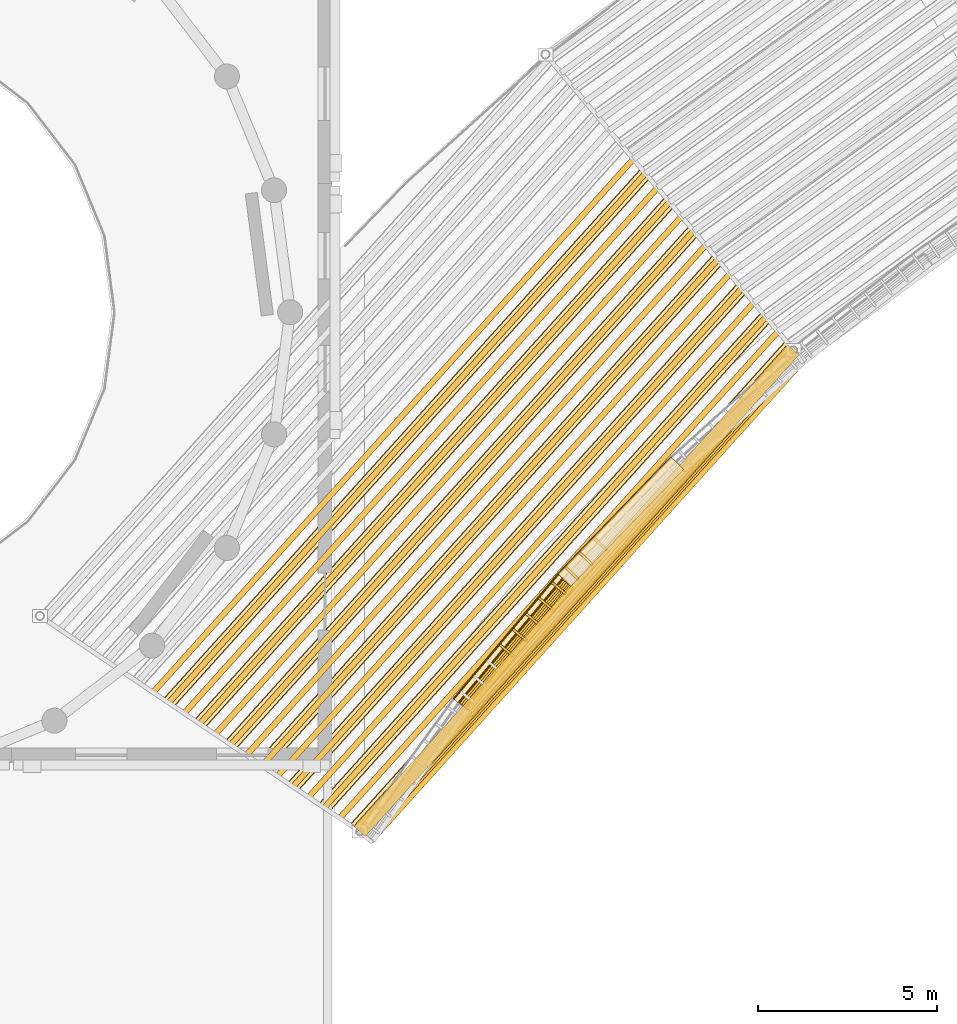
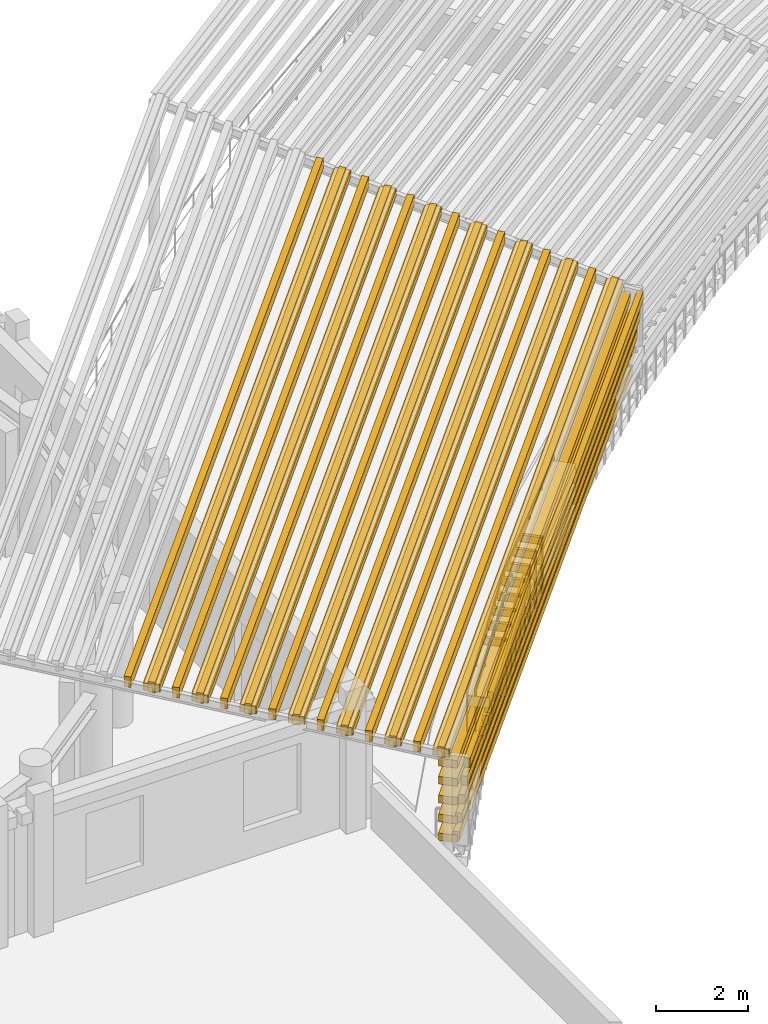
# One storey, part 63 of 74: 44 shading devices, 15 coverings, 3 railings.
"""IFC4 building model written with IfcOpenShell, lengths in metres."""

from ifc_helpers import new_model, si_unit, direction, frame, frame_2d, origin, origin_2d, place, context, subcontext, project, spatial, rectangle, circle, extrude, material, layer, layer_set, type_object, element, save


model = new_model("IFC4")

# Units and contexts
model_context = context("Model", 3, precision=1e-05, world=origin(), true_north=direction((0.0, 1.0)))
body_context = subcontext(model_context, "Body", "Model", "MODEL_VIEW")
ifc_project = project(units=[si_unit("LENGTHUNIT", "METRE"), si_unit("AREAUNIT", "SQUARE_METRE"), si_unit("VOLUMEUNIT", "CUBIC_METRE"), si_unit("PLANEANGLEUNIT", "RADIAN"), si_unit("MASSUNIT", "GRAM", prefix="KILO")], contexts=[model_context])

# Site, building, storey
site_placement = place(None, origin())
site = spatial("IfcSite", under=ifc_project, at=site_placement, CompositionType="ELEMENT")
building_placement = place(site_placement, origin())
building = spatial("IfcBuilding", under=site, at=building_placement, Name="Clarverna Civic Hall", CompositionType="ELEMENT")
storey_placement = place(building_placement, frame((0.0, 0.0, 13.199951171875)))
storey = spatial("IfcBuildingStorey", under=building, at=storey_placement, Name="L03", CompositionType="ELEMENT", Elevation=13.199951171875)

# Coverings
ifc_material_1 = material(Name="Thermally Modified Teak Wood Slat Fascia Cladding", Category="wood")
ifc_layer_1 = layer(ifc_material_1, 0.080078125)
ifc_layer_set_1 = layer_set([ifc_layer_1], Name="Thermally Modified Teak Wood Slat Fascia Cladding")
covering_type = type_object("IfcCoveringType", Name="CV-CL1", PredefinedType="CLADDING", material=ifc_layer_set_1)
for number, where, z_axis, x_axis, name in (
    (1, (106.837890625, 54.77587890625, -0.3798828125), (0.0, 0.0, 1.0), (-0.694660569489, -0.719337676753, 0.0), "CV-CL1-168"),
    (2, (106.837890625, 54.77587890625, 0.16015625), (0.0, 0.0, 1.0), (-0.694660569489, -0.719337676753, 0.0), "CV-CL1-169"),
):
    element("IfcCovering", number, at=place(storey_placement, frame(where, z_axis=z_axis, x_axis=x_axis)), inside=storey, type_object=covering_type, Name=name, PredefinedType="CLADDING", context=body_context, shape_type="SweptSolid", body=[
        extrude(rectangle(XDim=4.551025390625, YDim=0.5, at=frame_2d((2.275390625, 0.0))), origin(), (0.0, 0.0, 1.0), 0.260009765625),
    ])
covering_1_placement = place(storey_placement, frame((106.837890625, 54.77587890625, 0.679931640625), z_axis=(0.0, 0.0, 1.0), x_axis=(-0.694660569489, -0.719337676753, 0.0)))
element("IfcCovering", 3, at=covering_1_placement, inside=storey, type_object=covering_type, Name="CV-CL1-170", PredefinedType="CLADDING", context=body_context, shape_type="SweptSolid", body=[
    extrude(rectangle(XDim=4.551025390625, YDim=0.5, at=frame_2d((2.275390625, 0.0))), origin(), (0.0, 0.0, 1.0), 0.280029296875),
])
for number, where, z_axis, x_axis, name in (
    (4, (104.111083984375, 52.268798828125, -0.35986328125), (0.0, 0.0, 1.0), (0.719451954483, -0.694542212678, 0.0), "CV-CL1-173"),
    (5, (103.7158203125, 51.859619140625, -0.35986328125), (0.0, 0.0, 1.0), (0.719451954483, -0.694542212678, 0.0), "CV-CL1-174"),
):
    element("IfcCovering", number, at=place(storey_placement, frame(where, z_axis=z_axis, x_axis=x_axis)), inside=storey, type_object=covering_type, Name=name, PredefinedType="CLADDING", context=body_context, shape_type="SweptSolid", body=[
        extrude(rectangle(XDim=0.499755859375, YDim=0.070068359375, at=frame_2d((0.25, 0.0))), origin(), (0.0, 0.0, 1.0), 1.52001953125),
    ])
covering_2_placement = place(storey_placement, frame((103.684814453125, 51.51171875, 0.679931640625), z_axis=(0.0, 0.0, 1.0), x_axis=(-0.642776820279, -0.766053496377, 0.0)))
element("IfcCovering", 6, at=covering_2_placement, inside=storey, type_object=covering_type, Name="CV-CL1-177", PredefinedType="CLADDING", context=body_context, shape_type="SweptSolid", body=[
    extrude(rectangle(XDim=4.551025390625, YDim=0.5, at=frame_2d((2.275390625, 0.0))), origin(), (0.0, 0.0, 1.0), 0.280029296875),
])
covering_3_placement = place(storey_placement, frame((103.33349609375, 51.43505859375, -0.35986328125), z_axis=(0.0, 0.0, 1.0), x_axis=(0.766176031171, -0.642630756546, 0.0)))
element("IfcCovering", 7, at=covering_3_placement, inside=storey, type_object=covering_type, Name="CV-CL1-178", PredefinedType="CLADDING", context=body_context, shape_type="SweptSolid", body=[
    extrude(rectangle(XDim=0.5, YDim=0.070068359375, at=frame_2d((0.25, 0.0))), origin(), (0.0, 0.0, 1.0), 1.52001953125),
])
covering_4_placement = place(storey_placement, frame((102.236572265625, 50.127685546875, -0.35986328125), z_axis=(0.0, 0.0, 1.0), x_axis=(0.76597425383, -0.64287124875, 0.0)))
element("IfcCovering", 8, at=covering_4_placement, inside=storey, type_object=covering_type, Name="CV-CL1-179", PredefinedType="CLADDING", context=body_context, shape_type="SweptSolid", body=[
    extrude(rectangle(XDim=0.499755859375, YDim=0.070068359375, at=frame_2d((0.25, 0.0))), origin(), (0.0, 0.0, 1.0), 1.52001953125),
])
covering_5_placement = place(storey_placement, frame((109.993896484375, 58.06103515625, 2.510009765625), z_axis=(0.0, 0.0, 1.0), x_axis=(-0.669127111219, -0.743147972501, 0.0)))
element("IfcCovering", 9, at=covering_5_placement, inside=storey, type_object=covering_type, Name="CV-CL1-203", PredefinedType="CLADDING", context=body_context, shape_type="SweptSolid", body=[
    extrude(rectangle(XDim=18.18994140625, YDim=0.340087890625, at=frame_2d((9.094970703125, 0.0))), origin(), (0.0, 0.0, 1.0), 0.219970703125),
])
covering_6_placement = place(storey_placement, frame((109.31884765625, 58.865478515625, 2.7451171875), z_axis=(0.0, 0.0, 1.0), x_axis=(-0.669124543169, -0.743150284753, 0.0)))
element("IfcCovering", 10, at=covering_6_placement, inside=storey, type_object=covering_type, Name="CV-CL1-208", PredefinedType="CLADDING", context=body_context, shape_type="SweptSolid", body=[
    extrude(rectangle(XDim=18.482177734375, YDim=0.340087890625, at=frame_2d((9.2412109375, 0.0))), origin(), (0.0, 0.0, 1.0), 0.219970703125),
])
covering_7_placement = place(storey_placement, frame((108.64404296875, 59.669677734375, 2.97998046875), z_axis=(0.0, 0.0, 1.0), x_axis=(-0.669135702902, -0.743140236498, 0.0)))
element("IfcCovering", 11, at=covering_7_placement, inside=storey, type_object=covering_type, Name="CV-CL1-213", PredefinedType="CLADDING", context=body_context, shape_type="SweptSolid", body=[
    extrude(rectangle(XDim=18.774658203125, YDim=0.340087890625, at=frame_2d((9.38720703125, 0.0))), origin(), (0.0, 0.0, 1.0), 0.219970703125),
])
covering_8_placement = place(storey_placement, frame((107.968994140625, 60.47412109375, 3.215087890625), z_axis=(0.0, 0.0, 1.0), x_axis=(-0.669126010428, -0.743148963646, 0.0)))
element("IfcCovering", 12, at=covering_8_placement, inside=storey, type_object=covering_type, Name="CV-CL1-218", PredefinedType="CLADDING", context=body_context, shape_type="SweptSolid", body=[
    extrude(rectangle(XDim=19.066650390625, YDim=0.340087890625, at=frame_2d((9.533203125, 0.0))), origin(), (0.0, 0.0, 1.0), 0.219970703125),
])
covering_9_placement = place(storey_placement, frame((107.294189453125, 61.2783203125, 3.449951171875), z_axis=(0.0, 0.0, 1.0), x_axis=(-0.669136811064, -0.743139238689, 0.0)))
element("IfcCovering", 13, at=covering_9_placement, inside=storey, type_object=covering_type, Name="CV-CL1-223", PredefinedType="CLADDING", context=body_context, shape_type="SweptSolid", body=[
    extrude(rectangle(XDim=19.359130859375, YDim=0.340087890625, at=frame_2d((9.6796875, 0.0))), origin(), (0.0, 0.0, 1.0), 0.22021484375),
])
covering_10_placement = place(storey_placement, frame((106.619140625, 62.082763671875, 3.68505859375), z_axis=(0.0, 0.0, 1.0), x_axis=(-0.669127390406, -0.743147721122, 0.0)))
element("IfcCovering", 14, at=covering_10_placement, inside=storey, type_object=covering_type, Name="CV-CL1-228", PredefinedType="CLADDING", context=body_context, shape_type="SweptSolid", body=[
    extrude(rectangle(XDim=19.651123046875, YDim=0.340087890625, at=frame_2d((9.82568359375, 0.0))), origin(), (0.0, 0.0, 1.0), 0.219970703125),
])
covering_11_placement = place(storey_placement, frame((105.9443359375, 62.88720703125, 3.920166015625), z_axis=(0.0, 0.0, 1.0), x_axis=(-0.669125006428, -0.74314986764, 0.0)))
element("IfcCovering", 15, at=covering_11_placement, inside=storey, type_object=covering_type, Name="CV-CL1-233", PredefinedType="CLADDING", context=body_context, shape_type="SweptSolid", body=[
    extrude(rectangle(XDim=19.943603515625, YDim=0.340087890625, at=frame_2d((9.9716796875, 0.0))), origin(), (0.0, 0.0, 1.0), 0.219970703125),
])

# Railings
ifc_material_2 = material(Name="Anodised Bronze Architectural Balustrade")
railing_type_1 = type_object("IfcRailingType", Name="GR-01", PredefinedType="BALUSTRADE", material=ifc_material_2)
railing_1_placement = place(storey_placement, frame((103.5009765625, 51.666015625, 0.0)))
element("IfcRailing", 16, at=railing_1_placement, inside=storey, type_object=railing_type_1, Name="GR-01-022", PredefinedType="BALUSTRADE", context=body_context, shape_type="SweptSolid", body=[
    extrude(circle(Radius=0.02392578125, at=origin_2d()), frame((0.0, 0.0, 1.09619140625), z_axis=(-0.642776820279, -0.766053496377, 0.0), x_axis=(0.766053496377, -0.642776820279, 0.0)), (0.0, 0.0, 1.0), 4.551025390625),
    extrude(circle(Radius=0.011962890625, at=origin_2d()), frame((0.0, 0.0, 0.39208984375), z_axis=(-0.642776820279, -0.766053496377, 0.0), x_axis=(0.766053496377, -0.642776820279, 0.0)), (0.0, 0.0, 1.0), 4.551025390625),
    extrude(circle(Radius=0.011962890625, at=origin_2d()), frame((0.0, 0.0, 0.76171875), z_axis=(-0.642776820279, -0.766053496377, 0.0), x_axis=(0.766053496377, -0.642776820279, 0.0)), (0.0, 0.0, 1.0), 4.551025390625),
    extrude(circle(Radius=0.02099609375, at=origin_2d()), origin(), (0.0, 0.0, 1.0), 1.072021484375),
    extrude(circle(Radius=0.02099609375, at=origin_2d()), frame((-0.7314453125, -0.87158203125, 0.0)), (0.0, 0.0, 1.0), 1.072021484375),
    extrude(circle(Radius=0.02099609375, at=origin_2d()), frame((-1.462646484375, -1.7431640625, 0.0)), (0.0, 0.0, 1.0), 1.072021484375),
    extrude(circle(Radius=0.02099609375, at=origin_2d()), frame((-2.19384765625, -2.61474609375, 0.0)), (0.0, 0.0, 1.0), 1.072021484375),
    extrude(circle(Radius=0.02099609375, at=origin_2d()), frame((-2.92529296875, -3.486328125, 0.0)), (0.0, 0.0, 1.0), 1.072021484375),
])
railing_2_placement = place(storey_placement, frame((106.6650390625, 54.942626953125, 0.0)))
element("IfcRailing", 17, at=railing_2_placement, inside=storey, type_object=railing_type_1, Name="GR-01-032", PredefinedType="BALUSTRADE", context=body_context, shape_type="SweptSolid", body=[
    extrude(circle(Radius=0.02392578125, at=origin_2d()), frame((0.0, 0.0, 1.09619140625), z_axis=(-0.694632809051, -0.719364483825, 0.0), x_axis=(0.719364483825, -0.694632809051, 0.0)), (0.0, 0.0, 1.0), 4.55078125),
    extrude(circle(Radius=0.011962890625, at=origin_2d()), frame((0.0, 0.0, 0.39208984375), z_axis=(-0.694632809051, -0.719364483825, 0.0), x_axis=(0.719364483825, -0.694632809051, 0.0)), (0.0, 0.0, 1.0), 4.55078125),
    extrude(circle(Radius=0.011962890625, at=origin_2d()), frame((0.0, 0.0, 0.76171875), z_axis=(-0.694632809051, -0.719364483825, 0.0), x_axis=(0.719364483825, -0.694632809051, 0.0)), (0.0, 0.0, 1.0), 4.55078125),
    extrude(circle(Radius=0.02099609375, at=origin_2d()), origin(), (0.0, 0.0, 1.0), 1.072021484375),
    extrude(circle(Radius=0.02099609375, at=origin_2d()), frame((-0.790283203125, -0.818359375, 0.0)), (0.0, 0.0, 1.0), 1.072021484375),
    extrude(circle(Radius=0.02099609375, at=origin_2d()), frame((-1.58056640625, -1.63671875, 0.0)), (0.0, 0.0, 1.0), 1.072021484375),
    extrude(circle(Radius=0.02099609375, at=origin_2d()), frame((-2.370849609375, -2.455322265625, 0.0)), (0.0, 0.0, 1.0), 1.072021484375),
    extrude(circle(Radius=0.02099609375, at=origin_2d()), frame((-3.1611328125, -3.273681640625, 0.0)), (0.0, 0.0, 1.0), 1.072021484375),
])
ifc_material_3 = material(Name="Thermally Modified Teak Wood Slat Fascia Rail", Category="wood")
railing_type_2 = type_object("IfcRailingType", Name="GR-03", PredefinedType="BALUSTRADE", material=ifc_material_3)
railing_3_placement = place(storey_placement, frame((103.61962890625, 51.527099609375, 0.0)))
element("IfcRailing", 18, at=railing_3_placement, inside=storey, type_object=railing_type_2, Name="GR-03-016", PredefinedType="BALUSTRADE", context=body_context, shape_type="SweptSolid", body=[
    extrude(circle(Radius=0.02392578125, at=origin_2d()), frame((0.0, 0.0, 1.09619140625), z_axis=(-0.642795492515, -0.766037828571, 0.0), x_axis=(0.766037828571, -0.642795492515, 0.0)), (0.0, 0.0, 1.0), 4.490966796875),
    extrude(circle(Radius=0.011962890625, at=origin_2d()), frame((0.0, 0.0, 0.39208984375), z_axis=(-0.642795492515, -0.766037828571, 0.0), x_axis=(0.766037828571, -0.642795492515, 0.0)), (0.0, 0.0, 1.0), 4.490966796875),
    extrude(circle(Radius=0.011962890625, at=origin_2d()), frame((0.0, 0.0, 0.76171875), z_axis=(-0.642795492515, -0.766037828571, 0.0), x_axis=(0.766037828571, -0.642795492515, 0.0)), (0.0, 0.0, 1.0), 4.490966796875),
    extrude(circle(Radius=0.02099609375, at=origin_2d()), origin(), (0.0, 0.0, 1.0), 1.072021484375),
    extrude(circle(Radius=0.02099609375, at=origin_2d()), frame((-0.7216796875, -0.860107421875, 0.0)), (0.0, 0.0, 1.0), 1.072021484375),
    extrude(circle(Radius=0.02099609375, at=origin_2d()), frame((-1.443359375, -1.72021484375, 0.0)), (0.0, 0.0, 1.0), 1.072021484375),
    extrude(circle(Radius=0.02099609375, at=origin_2d()), frame((-2.1650390625, -2.580078125, 0.0)), (0.0, 0.0, 1.0), 1.072021484375),
    extrude(circle(Radius=0.02099609375, at=origin_2d()), frame((-2.88671875, -3.440185546875, 0.0)), (0.0, 0.0, 1.0), 1.072021484375),
])

# Shading devices
ifc_material_4 = material(Name="Thermally Modified Teak Wood Slats", Category="wood")
ifc_layer_2 = layer(ifc_material_4, 0.06494140625)
ifc_layer_set_2 = layer_set([ifc_layer_2], Name="Thermally Modified Teak Wood Slats")
shading_device_type = type_object("IfcShadingDeviceType", Name="SD-WD1", PredefinedType="JALOUSIE", material=ifc_layer_set_2)
for number, where, z_axis, x_axis, name in (
    (19, (104.506103515625, 52.677978515625, -0.35986328125), (0.0, 0.0, 1.0), (0.719451954483, -0.694542212678, 0.0), "SD-WD1-224"),
    (20, (104.111083984375, 52.268798828125, -0.35986328125), (0.0, 0.0, 1.0), (0.719451954483, -0.694542212678, 0.0), "SD-WD1-225"),
    (21, (103.7158203125, 51.859619140625, -0.35986328125), (0.0, 0.0, 1.0), (0.719451954483, -0.694542212678, 0.0), "SD-WD1-226"),
):
    element("IfcShadingDevice", number, at=place(storey_placement, frame(where, z_axis=z_axis, x_axis=x_axis)), inside=storey, type_object=shading_device_type, Name=name, PredefinedType="JALOUSIE", context=body_context, shape_type="SweptSolid", body=[
        extrude(rectangle(XDim=0.499755859375, YDim=0.06494140625, at=frame_2d((0.25, 0.0))), origin(), (0.0, 0.0, 1.0), 1.5),
    ])
for number, where, z_axis, x_axis, name in (
    (22, (103.6962890625, 51.462890625, -0.35986328125), (0.0, 0.0, 1.0), (-0.642795492515, -0.766037828571, 0.0), "SD-WD1-227"),
    (23, (103.7421875, 51.42431640625, -0.079833984375), (0.0, 0.0, 1.0), (-0.642795492515, -0.766037828571, 0.0), "SD-WD1-228"),
    (24, (103.7880859375, 51.3857421875, 0.219970703125), (0.0, 0.0, 1.0), (-0.642795492515, -0.766037828571, 0.0), "SD-WD1-229"),
):
    element("IfcShadingDevice", number, at=place(storey_placement, frame(where, z_axis=z_axis, x_axis=x_axis)), inside=storey, type_object=shading_device_type, Name=name, PredefinedType="JALOUSIE", context=body_context, shape_type="SweptSolid", body=[
        extrude(rectangle(XDim=4.490966796875, YDim=0.139892578125, at=frame_2d((2.24560546875, 0.0))), origin(), (0.0, 0.0, 1.0), 0.239990234375),
    ])
shading_device_1_placement = place(storey_placement, frame((103.833984375, 51.34716796875, 0.5400390625), z_axis=(0.0, 0.0, 1.0), x_axis=(-0.642763589509, -0.766064597799, 0.0)))
element("IfcShadingDevice", 25, at=shading_device_1_placement, inside=storey, type_object=shading_device_type, Name="SD-WD1-230", PredefinedType="JALOUSIE", context=body_context, shape_type="SweptSolid", body=[
    extrude(rectangle(XDim=4.49072265625, YDim=0.139892578125, at=frame_2d((2.245361328125, 0.0))), origin(), (0.0, 0.0, 1.0), 0.239990234375),
])
shading_device_2_placement = place(storey_placement, frame((103.872314453125, 51.315185546875, 0.860107421875), z_axis=(0.0, 0.0, 1.0), x_axis=(-0.642768724281, -0.766060289459, 0.0)))
element("IfcShadingDevice", 26, at=shading_device_2_placement, inside=storey, type_object=shading_device_type, Name="SD-WD1-231", PredefinedType="JALOUSIE", context=body_context, shape_type="SweptSolid", body=[
    extrude(rectangle(XDim=4.490966796875, YDim=0.139892578125, at=frame_2d((2.24560546875, 0.0))), origin(), (0.0, 0.0, 1.0), 0.239990234375),
])
shading_device_3_placement = place(storey_placement, frame((103.33349609375, 51.43505859375, -0.35986328125), z_axis=(0.0, 0.0, 1.0), x_axis=(0.766176031171, -0.642630756546, 0.0)))
element("IfcShadingDevice", 27, at=shading_device_3_placement, inside=storey, type_object=shading_device_type, Name="SD-WD1-232", PredefinedType="JALOUSIE", context=body_context, shape_type="SweptSolid", body=[
    extrude(rectangle(XDim=0.5, YDim=0.06494140625, at=frame_2d((0.25, 0.0))), origin(), (0.0, 0.0, 1.0), 1.5),
])
shading_device_4_placement = place(storey_placement, frame((102.968017578125, 50.999267578125, -0.35986328125), z_axis=(0.0, 0.0, 1.0), x_axis=(0.76597425383, -0.64287124875, 0.0)))
element("IfcShadingDevice", 28, at=shading_device_4_placement, inside=storey, type_object=shading_device_type, Name="SD-WD1-233", PredefinedType="JALOUSIE", context=body_context, shape_type="SweptSolid", body=[
    extrude(rectangle(XDim=0.499755859375, YDim=0.06494140625, at=frame_2d((0.25, 0.0))), origin(), (0.0, 0.0, 1.0), 1.5),
])
shading_device_5_placement = place(storey_placement, frame((102.602294921875, 50.563720703125, -0.35986328125), z_axis=(0.0, 0.0, 1.0), x_axis=(0.765733725264, -0.643157727151, 0.0)))
element("IfcShadingDevice", 29, at=shading_device_5_placement, inside=storey, type_object=shading_device_type, Name="SD-WD1-234", PredefinedType="JALOUSIE", context=body_context, shape_type="SweptSolid", body=[
    extrude(rectangle(XDim=0.5, YDim=0.06494140625, at=frame_2d((0.25, 0.0))), origin(), (0.0, 0.0, 1.0), 1.5),
])
shading_device_6_placement = place(storey_placement, frame((102.236572265625, 50.127685546875, -0.35986328125), z_axis=(0.0, 0.0, 1.0), x_axis=(0.76597425383, -0.64287124875, 0.0)))
element("IfcShadingDevice", 30, at=shading_device_6_placement, inside=storey, type_object=shading_device_type, Name="SD-WD1-235", PredefinedType="JALOUSIE", context=body_context, shape_type="SweptSolid", body=[
    extrude(rectangle(XDim=0.499755859375, YDim=0.06494140625, at=frame_2d((0.25, 0.0))), origin(), (0.0, 0.0, 1.0), 1.5),
])
shading_device_7_placement = place(storey_placement, frame((101.870849609375, 49.69189453125, -0.35986328125), z_axis=(0.0, 0.0, 1.0), x_axis=(0.766176031171, -0.642630756546, 0.0)))
element("IfcShadingDevice", 31, at=shading_device_7_placement, inside=storey, type_object=shading_device_type, Name="SD-WD1-236", PredefinedType="JALOUSIE", context=body_context, shape_type="SweptSolid", body=[
    extrude(rectangle(XDim=0.5, YDim=0.06494140625, at=frame_2d((0.25, 0.0))), origin(), (0.0, 0.0, 1.0), 1.5),
])
shading_device_8_placement = place(storey_placement, frame((110.210693359375, 57.810791015625, 0.300048828125), z_axis=(0.0, 0.0, 1.0), x_axis=(-0.669128589124, -0.743146641799, 0.0)))
element("IfcShadingDevice", 32, at=shading_device_8_placement, inside=storey, type_object=shading_device_type, Name="SD-WD1-293", PredefinedType="JALOUSIE", context=body_context, shape_type="SweptSolid", body=[
    extrude(rectangle(XDim=18.108154296875, YDim=0.139892578125, at=frame_2d((9.05419921875, 0.0))), origin(), (0.0, 0.0, 1.0), 0.239990234375),
])
shading_device_9_placement = place(storey_placement, frame((110.090087890625, 57.946044921875, 0.260009765625), z_axis=(0.0, 0.0, 1.0), x_axis=(-0.669128973271, -0.743146295913, 0.0)))
element("IfcShadingDevice", 33, at=shading_device_9_placement, inside=storey, type_object=shading_device_type, Name="SD-WD1-294", PredefinedType="JALOUSIE", context=body_context, shape_type="SweptSolid", body=[
    extrude(rectangle(XDim=18.14794921875, YDim=0.419921875, at=frame_2d((9.073974609375, 0.0))), origin(), (0.0, 0.0, 1.0), 0.199951171875),
])
shading_device_10_placement = place(storey_placement, frame((110.255126953125, 57.7705078125, 0.800048828125), z_axis=(0.0, 0.0, 1.0), x_axis=(-0.669135293401, -0.743140605219, 0.0)))
element("IfcShadingDevice", 34, at=shading_device_10_placement, inside=storey, type_object=shading_device_type, Name="SD-WD1-295", PredefinedType="JALOUSIE", context=body_context, shape_type="SweptSolid", body=[
    extrude(rectangle(XDim=18.10791015625, YDim=0.139892578125, at=frame_2d((9.053955078125, 0.0))), origin(), (0.0, 0.0, 1.0), 0.239990234375),
])
shading_device_11_placement = place(storey_placement, frame((110.090087890625, 57.946044921875, 0.760009765625), z_axis=(0.0, 0.0, 1.0), x_axis=(-0.669128973271, -0.743146295913, 0.0)))
element("IfcShadingDevice", 35, at=shading_device_11_placement, inside=storey, type_object=shading_device_type, Name="SD-WD1-296", PredefinedType="JALOUSIE", context=body_context, shape_type="SweptSolid", body=[
    extrude(rectangle(XDim=18.14794921875, YDim=0.419921875, at=frame_2d((9.073974609375, 0.0))), origin(), (0.0, 0.0, 1.0), 0.199951171875),
])
shading_device_12_placement = place(storey_placement, frame((110.2998046875, 57.73046875, 1.300048828125), z_axis=(0.0, 0.0, 1.0), x_axis=(-0.669128589124, -0.743146641799, 0.0)))
element("IfcShadingDevice", 36, at=shading_device_12_placement, inside=storey, type_object=shading_device_type, Name="SD-WD1-297", PredefinedType="JALOUSIE", context=body_context, shape_type="SweptSolid", body=[
    extrude(rectangle(XDim=18.108154296875, YDim=0.139892578125, at=frame_2d((9.05419921875, 0.0))), origin(), (0.0, 0.0, 1.0), 0.239990234375),
])
shading_device_13_placement = place(storey_placement, frame((110.090087890625, 57.946044921875, 1.260009765625), z_axis=(0.0, 0.0, 1.0), x_axis=(-0.669128973271, -0.743146295913, 0.0)))
element("IfcShadingDevice", 37, at=shading_device_13_placement, inside=storey, type_object=shading_device_type, Name="SD-WD1-298", PredefinedType="JALOUSIE", context=body_context, shape_type="SweptSolid", body=[
    extrude(rectangle(XDim=18.14794921875, YDim=0.419921875, at=frame_2d((9.073974609375, 0.0))), origin(), (0.0, 0.0, 1.0), 0.199951171875),
])
shading_device_14_placement = place(storey_placement, frame((110.34423828125, 57.6904296875, 1.800048828125), z_axis=(0.0, 0.0, 1.0), x_axis=(-0.669121143172, -0.74315334606, 0.0)))
element("IfcShadingDevice", 38, at=shading_device_14_placement, inside=storey, type_object=shading_device_type, Name="SD-WD1-299", PredefinedType="JALOUSIE", context=body_context, shape_type="SweptSolid", body=[
    extrude(rectangle(XDim=18.10791015625, YDim=0.139892578125, at=frame_2d((9.053955078125, 0.0))), origin(), (0.0, 0.0, 1.0), 0.239990234375),
])
shading_device_15_placement = place(storey_placement, frame((110.090087890625, 57.946044921875, 1.760009765625), z_axis=(0.0, 0.0, 1.0), x_axis=(-0.669128973271, -0.743146295913, 0.0)))
element("IfcShadingDevice", 39, at=shading_device_15_placement, inside=storey, type_object=shading_device_type, Name="SD-WD1-300", PredefinedType="JALOUSIE", context=body_context, shape_type="SweptSolid", body=[
    extrude(rectangle(XDim=18.14794921875, YDim=0.419921875, at=frame_2d((9.073974609375, 0.0))), origin(), (0.0, 0.0, 1.0), 0.199951171875),
])
shading_device_16_placement = place(storey_placement, frame((110.388916015625, 57.650146484375, 2.280029296875), z_axis=(0.0, 0.0, 1.0), x_axis=(-0.669128589124, -0.743146641799, 0.0)))
element("IfcShadingDevice", 40, at=shading_device_16_placement, inside=storey, type_object=shading_device_type, Name="SD-WD1-301", PredefinedType="JALOUSIE", context=body_context, shape_type="SweptSolid", body=[
    extrude(rectangle(XDim=18.108154296875, YDim=0.139892578125, at=frame_2d((9.05419921875, 0.0))), origin(), (0.0, 0.0, 1.0), 0.239990234375),
])
shading_device_17_placement = place(storey_placement, frame((110.090087890625, 57.946044921875, 2.239990234375), z_axis=(0.0, 0.0, 1.0), x_axis=(-0.669128973271, -0.743146295913, 0.0)))
element("IfcShadingDevice", 41, at=shading_device_17_placement, inside=storey, type_object=shading_device_type, Name="SD-WD1-302", PredefinedType="JALOUSIE", context=body_context, shape_type="SweptSolid", body=[
    extrude(rectangle(XDim=18.14794921875, YDim=0.419921875, at=frame_2d((9.073974609375, 0.0))), origin(), (0.0, 0.0, 1.0), 0.199951171875),
])
shading_device_18_placement = place(storey_placement, frame((109.993896484375, 58.06103515625, 2.489990234375), z_axis=(0.0, 0.0, 1.0), x_axis=(-0.669127111219, -0.743147972501, 0.0)))
element("IfcShadingDevice", 42, at=shading_device_18_placement, inside=storey, type_object=shading_device_type, Name="SD-WD1-311", PredefinedType="JALOUSIE", context=body_context, shape_type="SweptSolid", body=[
    extrude(rectangle(XDim=18.18994140625, YDim=0.159912109375, at=frame_2d((9.094970703125, 0.0))), origin(), (0.0, 0.0, 1.0), 0.280029296875),
])
shading_device_19_placement = place(storey_placement, frame((109.993896484375, 58.06103515625, 2.530029296875), z_axis=(0.0, 0.0, 1.0), x_axis=(-0.669127111219, -0.743147972501, 0.0)))
element("IfcShadingDevice", 43, at=shading_device_19_placement, inside=storey, type_object=shading_device_type, Name="SD-WD1-312", PredefinedType="JALOUSIE", context=body_context, shape_type="SweptSolid", body=[
    extrude(rectangle(XDim=18.18994140625, YDim=0.3798828125, at=frame_2d((9.094970703125, 0.0))), origin(), (0.0, 0.0, 1.0), 0.179931640625),
])
shading_device_20_placement = place(storey_placement, frame((109.656494140625, 58.463134765625, 2.607666015625), z_axis=(0.0, 0.0, 1.0), x_axis=(-0.669136114516, -0.743139865874, 0.0)))
element("IfcShadingDevice", 44, at=shading_device_20_placement, inside=storey, type_object=shading_device_type, Name="SD-WD1-317", PredefinedType="JALOUSIE", context=body_context, shape_type="SweptSolid", body=[
    extrude(rectangle(XDim=18.3359375, YDim=0.159912109375, at=frame_2d((9.16796875, 0.0))), origin(), (0.0, 0.0, 1.0), 0.27978515625),
])
shading_device_21_placement = place(storey_placement, frame((109.31884765625, 58.865478515625, 2.72509765625), z_axis=(0.0, 0.0, 1.0), x_axis=(-0.669124543169, -0.743150284753, 0.0)))
element("IfcShadingDevice", 45, at=shading_device_21_placement, inside=storey, type_object=shading_device_type, Name="SD-WD1-326", PredefinedType="JALOUSIE", context=body_context, shape_type="SweptSolid", body=[
    extrude(rectangle(XDim=18.482177734375, YDim=0.159912109375, at=frame_2d((9.2412109375, 0.0))), origin(), (0.0, 0.0, 1.0), 0.280029296875),
])
shading_device_22_placement = place(storey_placement, frame((109.31884765625, 58.865478515625, 2.76513671875), z_axis=(0.0, 0.0, 1.0), x_axis=(-0.669124543169, -0.743150284753, 0.0)))
element("IfcShadingDevice", 46, at=shading_device_22_placement, inside=storey, type_object=shading_device_type, Name="SD-WD1-327", PredefinedType="JALOUSIE", context=body_context, shape_type="SweptSolid", body=[
    extrude(rectangle(XDim=18.482177734375, YDim=0.3798828125, at=frame_2d((9.2412109375, 0.0))), origin(), (0.0, 0.0, 1.0), 0.179931640625),
])
shading_device_23_placement = place(storey_placement, frame((108.9814453125, 59.267578125, 2.842529296875), z_axis=(0.0, 0.0, 1.0), x_axis=(-0.669133425345, -0.743142287241, 0.0)))
element("IfcShadingDevice", 47, at=shading_device_23_placement, inside=storey, type_object=shading_device_type, Name="SD-WD1-332", PredefinedType="JALOUSIE", context=body_context, shape_type="SweptSolid", body=[
    extrude(rectangle(XDim=18.62841796875, YDim=0.159912109375, at=frame_2d((9.314208984375, 0.0))), origin(), (0.0, 0.0, 1.0), 0.280029296875),
])
shading_device_24_placement = place(storey_placement, frame((108.64404296875, 59.669677734375, 2.9599609375), z_axis=(0.0, 0.0, 1.0), x_axis=(-0.669135702902, -0.743140236498, 0.0)))
element("IfcShadingDevice", 48, at=shading_device_24_placement, inside=storey, type_object=shading_device_type, Name="SD-WD1-341", PredefinedType="JALOUSIE", context=body_context, shape_type="SweptSolid", body=[
    extrude(rectangle(XDim=18.774658203125, YDim=0.159912109375, at=frame_2d((9.38720703125, 0.0))), origin(), (0.0, 0.0, 1.0), 0.280029296875),
])
shading_device_25_placement = place(storey_placement, frame((108.64404296875, 59.669677734375, 3.0), z_axis=(0.0, 0.0, 1.0), x_axis=(-0.669135702902, -0.743140236498, 0.0)))
element("IfcShadingDevice", 49, at=shading_device_25_placement, inside=storey, type_object=shading_device_type, Name="SD-WD1-342", PredefinedType="JALOUSIE", context=body_context, shape_type="SweptSolid", body=[
    extrude(rectangle(XDim=18.774658203125, YDim=0.3798828125, at=frame_2d((9.38720703125, 0.0))), origin(), (0.0, 0.0, 1.0), 0.179931640625),
])
shading_device_26_placement = place(storey_placement, frame((108.306396484375, 60.072021484375, 3.07763671875), z_axis=(0.0, 0.0, 1.0), x_axis=(-0.669117276741, -0.743156827303, 0.0)))
element("IfcShadingDevice", 50, at=shading_device_26_placement, inside=storey, type_object=shading_device_type, Name="SD-WD1-347", PredefinedType="JALOUSIE", context=body_context, shape_type="SweptSolid", body=[
    extrude(rectangle(XDim=18.920654296875, YDim=0.159912109375, at=frame_2d((9.46044921875, 0.0))), origin(), (0.0, 0.0, 1.0), 0.280029296875),
])
shading_device_27_placement = place(storey_placement, frame((107.968994140625, 60.47412109375, 3.195068359375), z_axis=(0.0, 0.0, 1.0), x_axis=(-0.669126010428, -0.743148963646, 0.0)))
element("IfcShadingDevice", 51, at=shading_device_27_placement, inside=storey, type_object=shading_device_type, Name="SD-WD1-356", PredefinedType="JALOUSIE", context=body_context, shape_type="SweptSolid", body=[
    extrude(rectangle(XDim=19.066650390625, YDim=0.159912109375, at=frame_2d((9.533203125, 0.0))), origin(), (0.0, 0.0, 1.0), 0.280029296875),
])
shading_device_28_placement = place(storey_placement, frame((107.968994140625, 60.47412109375, 3.235107421875), z_axis=(0.0, 0.0, 1.0), x_axis=(-0.669126010428, -0.743148963646, 0.0)))
element("IfcShadingDevice", 52, at=shading_device_28_placement, inside=storey, type_object=shading_device_type, Name="SD-WD1-357", PredefinedType="JALOUSIE", context=body_context, shape_type="SweptSolid", body=[
    extrude(rectangle(XDim=19.066650390625, YDim=0.3798828125, at=frame_2d((9.533203125, 0.0))), origin(), (0.0, 0.0, 1.0), 0.179931640625),
])
shading_device_29_placement = place(storey_placement, frame((107.631591796875, 60.876220703125, 3.3125), z_axis=(0.0, 0.0, 1.0), x_axis=(-0.669134611231, -0.743141219454, 0.0)))
element("IfcShadingDevice", 53, at=shading_device_29_placement, inside=storey, type_object=shading_device_type, Name="SD-WD1-362", PredefinedType="JALOUSIE", context=body_context, shape_type="SweptSolid", body=[
    extrude(rectangle(XDim=19.212890625, YDim=0.159912109375, at=frame_2d((9.6064453125, 0.0))), origin(), (0.0, 0.0, 1.0), 0.280029296875),
])
shading_device_30_placement = place(storey_placement, frame((107.294189453125, 61.2783203125, 3.429931640625), z_axis=(0.0, 0.0, 1.0), x_axis=(-0.669136811064, -0.743139238689, 0.0)))
element("IfcShadingDevice", 54, at=shading_device_30_placement, inside=storey, type_object=shading_device_type, Name="SD-WD1-371", PredefinedType="JALOUSIE", context=body_context, shape_type="SweptSolid", body=[
    extrude(rectangle(XDim=19.359130859375, YDim=0.159912109375, at=frame_2d((9.6796875, 0.0))), origin(), (0.0, 0.0, 1.0), 0.280029296875),
])
shading_device_31_placement = place(storey_placement, frame((107.294189453125, 61.2783203125, 3.469970703125), z_axis=(0.0, 0.0, 1.0), x_axis=(-0.669136811064, -0.743139238689, 0.0)))
element("IfcShadingDevice", 55, at=shading_device_31_placement, inside=storey, type_object=shading_device_type, Name="SD-WD1-372", PredefinedType="JALOUSIE", context=body_context, shape_type="SweptSolid", body=[
    extrude(rectangle(XDim=19.359130859375, YDim=0.3798828125, at=frame_2d((9.6796875, 0.0))), origin(), (0.0, 0.0, 1.0), 0.18017578125),
])
shading_device_32_placement = place(storey_placement, frame((106.956787109375, 61.6806640625, 3.547607421875), z_axis=(0.0, 0.0, 1.0), x_axis=(-0.66912584142, -0.74314911582, 0.0)))
element("IfcShadingDevice", 56, at=shading_device_32_placement, inside=storey, type_object=shading_device_type, Name="SD-WD1-377", PredefinedType="JALOUSIE", context=body_context, shape_type="SweptSolid", body=[
    extrude(rectangle(XDim=19.50537109375, YDim=0.159912109375, at=frame_2d((9.752685546875, 0.0))), origin(), (0.0, 0.0, 1.0), 0.280029296875),
])
shading_device_33_placement = place(storey_placement, frame((106.619140625, 62.082763671875, 3.6650390625), z_axis=(0.0, 0.0, 1.0), x_axis=(-0.669127390406, -0.743147721122, 0.0)))
element("IfcShadingDevice", 57, at=shading_device_33_placement, inside=storey, type_object=shading_device_type, Name="SD-WD1-386", PredefinedType="JALOUSIE", context=body_context, shape_type="SweptSolid", body=[
    extrude(rectangle(XDim=19.651123046875, YDim=0.159912109375, at=frame_2d((9.82568359375, 0.0))), origin(), (0.0, 0.0, 1.0), 0.280029296875),
])
shading_device_34_placement = place(storey_placement, frame((106.619140625, 62.082763671875, 3.705078125), z_axis=(0.0, 0.0, 1.0), x_axis=(-0.669127390406, -0.743147721122, 0.0)))
element("IfcShadingDevice", 58, at=shading_device_34_placement, inside=storey, type_object=shading_device_type, Name="SD-WD1-387", PredefinedType="JALOUSIE", context=body_context, shape_type="SweptSolid", body=[
    extrude(rectangle(XDim=19.651123046875, YDim=0.3798828125, at=frame_2d((9.82568359375, 0.0))), origin(), (0.0, 0.0, 1.0), 0.179931640625),
])
shading_device_35_placement = place(storey_placement, frame((106.28173828125, 62.48486328125, 3.782470703125), z_axis=(0.0, 0.0, 1.0), x_axis=(-0.669135727094, -0.743140214715, 0.0)))
element("IfcShadingDevice", 59, at=shading_device_35_placement, inside=storey, type_object=shading_device_type, Name="SD-WD1-392", PredefinedType="JALOUSIE", context=body_context, shape_type="SweptSolid", body=[
    extrude(rectangle(XDim=19.79736328125, YDim=0.159912109375, at=frame_2d((9.898681640625, 0.0))), origin(), (0.0, 0.0, 1.0), 0.280029296875),
])
shading_device_36_placement = place(storey_placement, frame((105.9443359375, 62.88720703125, 3.900146484375), z_axis=(0.0, 0.0, 1.0), x_axis=(-0.669125006428, -0.74314986764, 0.0)))
element("IfcShadingDevice", 60, at=shading_device_36_placement, inside=storey, type_object=shading_device_type, Name="SD-WD1-401", PredefinedType="JALOUSIE", context=body_context, shape_type="SweptSolid", body=[
    extrude(rectangle(XDim=19.943603515625, YDim=0.159912109375, at=frame_2d((9.9716796875, 0.0))), origin(), (0.0, 0.0, 1.0), 0.27978515625),
])
shading_device_37_placement = place(storey_placement, frame((105.9443359375, 62.88720703125, 3.93994140625), z_axis=(0.0, 0.0, 1.0), x_axis=(-0.669125006428, -0.74314986764, 0.0)))
element("IfcShadingDevice", 61, at=shading_device_37_placement, inside=storey, type_object=shading_device_type, Name="SD-WD1-402", PredefinedType="JALOUSIE", context=body_context, shape_type="SweptSolid", body=[
    extrude(rectangle(XDim=19.943603515625, YDim=0.3798828125, at=frame_2d((9.9716796875, 0.0))), origin(), (0.0, 0.0, 1.0), 0.18017578125),
])
shading_device_38_placement = place(storey_placement, frame((105.606689453125, 63.289306640625, 4.017578125), z_axis=(0.0, 0.0, 1.0), x_axis=(-0.669120484676, -0.743153938956, 0.0)))
element("IfcShadingDevice", 62, at=shading_device_38_placement, inside=storey, type_object=shading_device_type, Name="SD-WD1-407", PredefinedType="JALOUSIE", context=body_context, shape_type="SweptSolid", body=[
    extrude(rectangle(XDim=20.089599609375, YDim=0.159912109375, at=frame_2d((10.044921875, 0.0))), origin(), (0.0, 0.0, 1.0), 0.280029296875),
])

save(model, "model.ifc")
